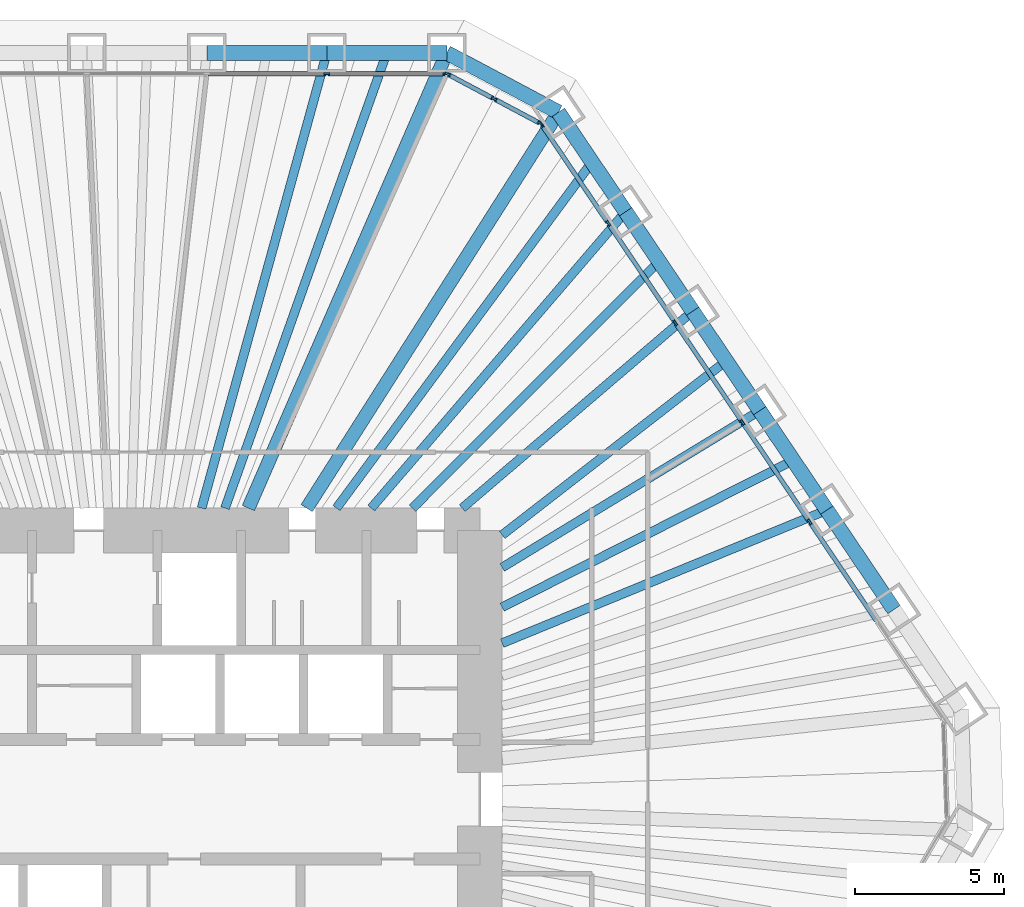
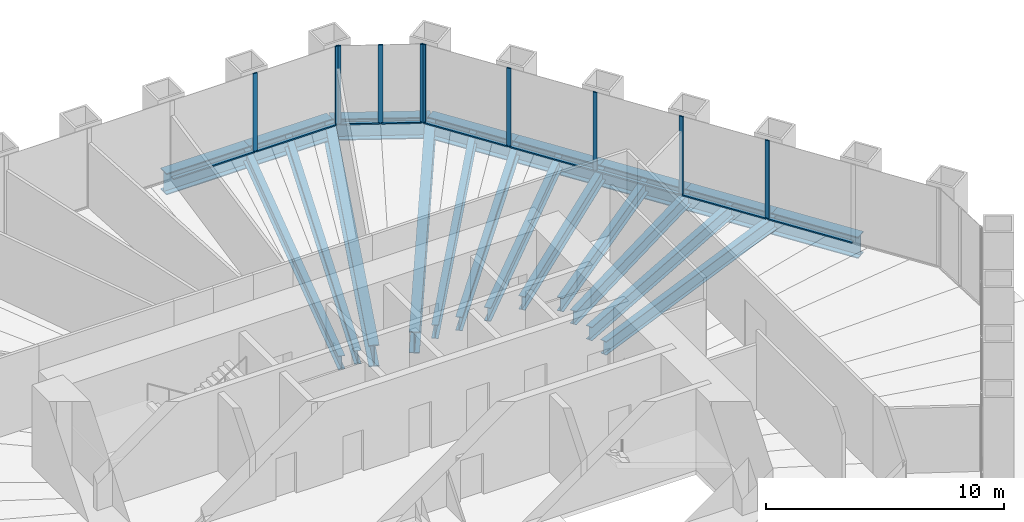
# One storey, part 7 of 13: 20 beams, 19 members, 3 elements without a shape of their own.
"""IFC4 building model written with IfcOpenShell, lengths in metres."""

import ifcopenshell
import ifcopenshell.guid

model = None  # the IFC model being written
_history = None  # IfcOwnerHistory: only IFC2X3 demands one
_inside = {}  # id of a spatial element -> (the spatial element, [elements in it])
_under = {}  # id of a project, library or spatial element -> (it, [spatial elements below it])
_declared = {}  # id of a project -> (the project, [libraries it declares])
_typed = {}  # id of a type object -> (the type object, [elements of that type])
_made_of = {}  # id of a material, layer set ... -> (it, [elements and type objects made of it])


def new_model(schema):
    """Start an empty IFC model of exactly this schema.

    Asked for "IFC4X3", IfcOpenShell would pick the latest addendum, in which some entities
    have other attributes; the version numbers below select the first issue.
    IFC2X3 requires an IfcOwnerHistory on every rooted entity: one is made here for all.
    """
    global model, _history
    if schema == "IFC4X3":
        model = ifcopenshell.file(schema_version=(4, 3, 0, 0))
    else:
        model = ifcopenshell.file(schema=schema)
    _inside.clear()
    _under.clear()
    _declared.clear()
    _typed.clear()
    _made_of.clear()
    _history = None
    if model.schema == "IFC2X3":
        org = make("IfcOrganization", Name="unknown")
        user = make(
            "IfcPersonAndOrganization",
            ThePerson=make("IfcPerson", FamilyName="unknown"),
            TheOrganization=org,
        )
        app = make(
            "IfcApplication",
            ApplicationDeveloper=org,
            Version="unknown",
            ApplicationFullName="unknown",
            ApplicationIdentifier="unknown",
        )
        _history = make(
            "IfcOwnerHistory",
            OwningUser=user,
            OwningApplication=app,
            ChangeAction="ADDED",
            CreationDate=0,
        )
    return model


def make(cls, **values):
    """One entity of the class cls with the attributes given. An attribute that is None is left unset."""
    return model.create_entity(
        cls, **{name: value for name, value in values.items() if value is not None}
    )


def rooted(cls, **values):
    """An entity with a GlobalId (a new one), such as an element, a storey or a relation."""
    return make(cls, GlobalId=ifcopenshell.guid.new(), OwnerHistory=_history, **values)


def si_unit(unit_type, name, prefix=None):
    """IfcSIUnit, for example si_unit("LENGTHUNIT", "METRE", prefix="MILLI")."""
    return make("IfcSIUnit", UnitType=unit_type, Prefix=prefix, Name=name)


def assignment(units):
    """IfcUnitAssignment: the units of a project."""
    return None if units is None else make("IfcUnitAssignment", Units=units)


def point(xyz):
    """IfcCartesianPoint."""
    return None if xyz is None else make("IfcCartesianPoint", Coordinates=xyz)


def direction(xyz):
    """IfcDirection."""
    return None if xyz is None else make("IfcDirection", DirectionRatios=xyz)


def frame(location, z_axis=None, x_axis=None):
    """IfcAxis2Placement3D, a coordinate frame: its origin and axes. An axis left out is left unset."""
    return make(
        "IfcAxis2Placement3D",
        Location=point(location),
        Axis=direction(z_axis),
        RefDirection=direction(x_axis),
    )


def frame_2d(location, x_axis=None):
    """IfcAxis2Placement2D, a coordinate frame in the plane: its origin and x axis."""
    return make(
        "IfcAxis2Placement2D", Location=point(location), RefDirection=direction(x_axis)
    )


def origin():
    """The frame at (0, 0, 0) with its axes left unset."""
    return frame((0.0, 0.0, 0.0))


def origin_2d():
    """The frame at (0, 0) in the plane with its x axis left unset."""
    return frame_2d((0.0, 0.0))


def place(relative_to, where):
    """IfcLocalPlacement: puts the frame where relative to a parent placement (None: the world)."""
    return make(
        "IfcLocalPlacement", PlacementRelTo=relative_to, RelativePlacement=where
    )


def context(
    kind, dimensions, precision=None, world=None, true_north=None, identifier=None
):
    """IfcGeometricRepresentationContext, for example the 3D "Model" context."""
    return make(
        "IfcGeometricRepresentationContext",
        ContextIdentifier=identifier,
        ContextType=kind,
        CoordinateSpaceDimension=dimensions,
        Precision=precision,
        WorldCoordinateSystem=world,
        TrueNorth=true_north,
    )


def subcontext(parent, identifier, kind, view, scale=None):
    """IfcGeometricRepresentationSubContext, for example "Body" below "Model"."""
    return make(
        "IfcGeometricRepresentationSubContext",
        ContextIdentifier=identifier,
        ContextType=kind,
        ParentContext=parent,
        TargetScale=scale,
        TargetView=view,
    )


def project(units=None, contexts=None):
    """IfcProject with its units and contexts."""
    return rooted(
        "IfcProject",
        Name="project",
        RepresentationContexts=contexts,
        UnitsInContext=assignment(units),
    )


def spatial(cls, under=None, at=None, **own):
    """A site, building, storey or space (cls), placed at a placement, below another one or the project."""
    s = rooted(cls, ObjectPlacement=at, **own)
    if under is not None:
        _under.setdefault(under.id(), (under, []))[1].append(s)
    return s


def profile(cls, at=None, kind="AREA", **sizes):
    """A parametric profile (cls). Its sizes go by their IFC names, for example OverallWidth=200.0."""
    return make(cls, ProfileType=kind, Position=at, **sizes)


def rectangle(**sizes):
    """IfcRectangleProfileDef."""
    return profile("IfcRectangleProfileDef", **sizes)


def i_section(**sizes):
    """IfcIShapeProfileDef."""
    return profile("IfcIShapeProfileDef", **sizes)


def extrude(swept, where, along, depth):
    """IfcExtrudedAreaSolid: the profile swept, set in the frame where, extruded along a direction by depth."""
    return make(
        "IfcExtrudedAreaSolid",
        SweptArea=swept,
        Position=where,
        ExtrudedDirection=direction(along),
        Depth=depth,
    )


def shape(context_of_items, identifier, shape_type, items):
    """IfcShapeRepresentation: the items that make up one representation, for example the "Body"."""
    return make(
        "IfcShapeRepresentation",
        ContextOfItems=context_of_items,
        RepresentationIdentifier=identifier,
        RepresentationType=shape_type,
        Items=items,
    )


def material(Name=None, Category=None):
    """IfcMaterial."""
    return make("IfcMaterial", Name=Name, Category=Category)


def material_profile(
    of_material, cross_section, Name=None, Category=None, Priority=None
):
    """IfcMaterialProfile: a cross section and its material."""
    return make(
        "IfcMaterialProfile",
        Name=Name,
        Material=of_material,
        Profile=cross_section,
        Priority=Priority,
        Category=Category,
    )


def profile_set(profiles, Name=None, composite=None):
    """IfcMaterialProfileSet."""
    return make(
        "IfcMaterialProfileSet",
        Name=Name,
        MaterialProfiles=profiles,
        CompositeProfile=composite,
    )


def made_of(thing, what):
    """Note that an element or type object is made of a material, layer set ...; save() writes the relation."""
    if what is not None:
        _made_of.setdefault(what.id(), (what, []))[1].append(thing)
    return thing


def type_object(cls, material=None, **own):
    """A type object (cls), such as IfcWallType, which elements share."""
    return made_of(rooted(cls, **own), material)


def element(
    cls,
    number,
    at=None,
    inside=None,
    cuts=None,
    type_object=None,
    material=None,
    context=None,
    identifier="Body",
    shape_type=None,
    held_by="IfcProductDefinitionShape",
    body=None,
    shapes=None,
    **own,
):
    """One element of the class cls, such as IfcWall. Its Tag is "e" and its number.

    at: its placement. inside: the storey or other place that contains it. cuts: it is an
    opening in that element (IfcRelVoidsElement). A single representation is given by context,
    identifier, shape_type and body (its items); several are given by shapes. held_by: the class
    of the entity that holds the representations. save() writes the other relations.
    """
    e = rooted(cls, Tag="e%d" % number, ObjectPlacement=at, **own)
    if body is not None:
        shapes = [shape(context, identifier, shape_type, body)]
    if shapes is not None:
        e.Representation = make(held_by, Representations=shapes)
    if inside is not None:
        _inside.setdefault(inside.id(), (inside, []))[1].append(e)
    if cuts is not None:
        rooted(
            "IfcRelVoidsElement", RelatingBuildingElement=cuts, RelatedOpeningElement=e
        )
    if type_object is not None:
        _typed.setdefault(type_object.id(), (type_object, []))[1].append(e)
    return made_of(e, material)


def aggregate(whole, parts):
    """IfcRelAggregates: a whole, such as a stair, and the parts it consists of."""
    return rooted("IfcRelAggregates", RelatingObject=whole, RelatedObjects=parts)


def save(model, path):
    """Write the relations noted so far, then the file.

    IfcRelAggregates (storeys below a building ...), IfcRelContainedInSpatialStructure (elements
    in a storey), IfcRelDefinesByType, IfcRelAssociatesMaterial and IfcRelDeclares: one each for
    every whole, place, type object, material and project.
    """
    for whole, parts in _under.values():
        aggregate(whole, parts)
    for where, things in _inside.values():
        rooted(
            "IfcRelContainedInSpatialStructure",
            RelatedElements=things,
            RelatingStructure=where,
        )
    for kind, things in _typed.values():
        rooted("IfcRelDefinesByType", RelatedObjects=things, RelatingType=kind)
    for what, things in _made_of.values():
        rooted("IfcRelAssociatesMaterial", RelatedObjects=things, RelatingMaterial=what)
    for by, libraries in _declared.values():
        rooted("IfcRelDeclares", RelatingContext=by, RelatedDefinitions=libraries)
    model.write(path)


model = new_model("IFC4")

# Units and contexts
model_context = context("Model", 3, precision=1e-05, world=origin(), true_north=direction((0.0, 1.0)))
body_context = subcontext(model_context, "Body", "Model", "MODEL_VIEW")
ifc_project = project(units=[si_unit("LENGTHUNIT", "METRE"), si_unit("AREAUNIT", "SQUARE_METRE"), si_unit("VOLUMEUNIT", "CUBIC_METRE"), si_unit("PLANEANGLEUNIT", "RADIAN"), si_unit("MASSUNIT", "GRAM", prefix="KILO")], contexts=[model_context])

# Site, building, storey
site_placement = place(None, origin())
site = spatial("IfcSite", under=ifc_project, at=site_placement, CompositionType="ELEMENT")
building_placement = place(site_placement, origin())
building = spatial("IfcBuilding", under=site, at=building_placement, Name="Qingtian Harvest Tower", CompositionType="ELEMENT")
storey_placement = place(building_placement, frame((0.0, 0.0, 140.800048828125)))
storey = spatial("IfcBuildingStorey", under=building, at=storey_placement, Name="L29", CompositionType="ELEMENT", Elevation=140.800048828125)

# Beams
ifc_material_1 = material(Name="Steel SM570MC", Category="steel")
ifc_material_profile_1 = material_profile(ifc_material_1, i_section(OverallWidth=0.449951171875, OverallDepth=1.10009765625, WebThickness=0.02197265625, FlangeThickness=0.044921875, at=origin_2d()), Name="H1100x450x22x45")
ifc_profile_set_1 = profile_set([ifc_material_profile_1], Name="Steel SM570MC")
beam_type_1 = type_object("IfcBeamType", Name="Corner floor beam FB8 H1100x450x22x45", PredefinedType="BEAM", material=ifc_profile_set_1)
beam_1_placement = place(storey_placement, frame((10.892822265625, 25.0, -0.719970703125), z_axis=(-0.399451016538, -0.916754539333, 0.0), x_axis=(0.916754539333, -0.399451016538, 0.0)))
element("IfcBeam", 1, at=beam_1_placement, inside=storey, type_object=beam_type_1, Name="Floor beam FB8 N6", PredefinedType="BEAM", context=body_context, shape_type="SweptSolid", body=[
    extrude(i_section(OverallWidth=0.449951171875, OverallDepth=1.10009765625, WebThickness=0.02197265625, FlangeThickness=0.044921875, at=origin_2d()), origin(), (0.0, 0.0, 1.0), 16.634765625),
])
beam_2_placement = place(storey_placement, frame((14.634765625, 23.01025390625, -0.719970703125), z_axis=(-0.536660352939, -0.843798355997, 0.0), x_axis=(0.843798355997, -0.536660352939, 0.0)))
element("IfcBeam", 2, at=beam_2_placement, inside=storey, type_object=beam_type_1, Name="Floor beam FB8 NE0", PredefinedType="BEAM", context=body_context, shape_type="SweptSolid", body=[
    extrude(i_section(OverallWidth=0.449951171875, OverallDepth=1.10009765625, WebThickness=0.02197265625, FlangeThickness=0.044921875, at=origin_2d()), origin(), (0.0, 0.0, 1.0), 15.71484375),
])
ifc_material_2 = material(Name="Steel SN490B", Category="steel")
ifc_material_profile_2 = material_profile(ifc_material_2, i_section(OverallWidth=0.300048828125, OverallDepth=0.699951171875, WebThickness=0.012939453125, FlangeThickness=0.02392578125, at=origin_2d()), Name="H700x300x13x24")
ifc_profile_set_2 = profile_set([ifc_material_profile_2], Name="Steel SN490B")
beam_type_2 = type_object("IfcBeamType", Name="Floor beam FB2 H700x300x13x24", PredefinedType="BEAM", material=ifc_profile_set_2)
beam_3_placement = place(storey_placement, frame((6.873779296875, 25.0, -0.52001953125), z_axis=(-0.265119170108, -0.964215653078, 0.0), x_axis=(0.964215653078, -0.265119170108, 0.0)))
element("IfcBeam", 3, at=beam_3_placement, inside=storey, type_object=beam_type_2, Name="Floor beam FB2 N5", PredefinedType="BEAM", context=body_context, shape_type="SweptSolid", body=[
    extrude(i_section(OverallWidth=0.300048828125, OverallDepth=0.699951171875, WebThickness=0.012939453125, FlangeThickness=0.02392578125, at=origin_2d()), origin(), (0.0, 0.0, 1.0), 15.81591796875),
])
beam_4_placement = place(storey_placement, frame((16.88232421875, 19.67822265625, -0.52001953125), z_axis=(-0.651140196702, -0.758957471957, 0.0), x_axis=(0.758957471957, -0.651140196702, 0.0)))
element("IfcBeam", 4, at=beam_4_placement, inside=storey, type_object=beam_type_2, Name="Floor beam FB2 NE1", PredefinedType="BEAM", context=body_context, shape_type="SweptSolid", body=[
    extrude(i_section(OverallWidth=0.300048828125, OverallDepth=0.699951171875, WebThickness=0.012939453125, FlangeThickness=0.02392578125, at=origin_2d()), origin(), (0.0, 0.0, 1.0), 13.081298828125),
])
beam_5_placement = place(storey_placement, frame((19.129638671875, 16.346435546875, -0.52001953125), z_axis=(-0.760241810635, -0.649640199928, 0.0), x_axis=(0.649640199928, -0.760241810635, 0.0)))
element("IfcBeam", 5, at=beam_5_placement, inside=storey, type_object=beam_type_2, Name="Floor beam FB2 NE2", PredefinedType="BEAM", context=body_context, shape_type="SweptSolid", body=[
    extrude(i_section(OverallWidth=0.300048828125, OverallDepth=0.699951171875, WebThickness=0.012939453125, FlangeThickness=0.02392578125, at=origin_2d()), origin(), (0.0, 0.0, 1.0), 10.154052734375),
])
beam_6_placement = place(storey_placement, frame((21.377197265625, 13.014404296875, -0.52001953125), z_axis=(-0.854160745245, -0.520009058846, 0.0), x_axis=(0.520009058846, -0.854160745245, 0.0)))
element("IfcBeam", 6, at=beam_6_placement, inside=storey, type_object=beam_type_2, Name="Floor beam FB2 NE3", PredefinedType="BEAM", context=body_context, shape_type="SweptSolid", body=[
    extrude(i_section(OverallWidth=0.300048828125, OverallDepth=0.699951171875, WebThickness=0.012939453125, FlangeThickness=0.02392578125, at=origin_2d()), origin(), (0.0, 0.0, 1.0), 10.10009765625),
])
beam_7_placement = place(storey_placement, frame((23.62451171875, 9.682373046875, -0.52001953125), z_axis=(-0.925304541163, -0.379224875375, 0.0), x_axis=(0.379224875375, -0.925304541163, 0.0)))
element("IfcBeam", 7, at=beam_7_placement, inside=storey, type_object=beam_type_2, Name="Floor beam FB2 NE4", PredefinedType="BEAM", context=body_context, shape_type="SweptSolid", body=[
    extrude(i_section(OverallWidth=0.300048828125, OverallDepth=0.699951171875, WebThickness=0.012939453125, FlangeThickness=0.02392578125, at=origin_2d()), origin(), (0.0, 0.0, 1.0), 11.75244140625),
])
ifc_material_3 = material(Name="Steel SN490B", Category="steel")
ifc_material_profile_3 = material_profile(ifc_material_3, i_section(OverallWidth=0.300048828125, OverallDepth=0.699951171875, WebThickness=0.012939453125, FlangeThickness=0.02392578125, at=origin_2d()), Name="H700x300x13x24")
ifc_profile_set_3 = profile_set([ifc_material_profile_3], Name="Steel SN490B")
beam_type_3 = type_object("IfcBeamType", Name="Floor joist J2 H700x300x13x24", PredefinedType="JOIST", material=ifc_profile_set_3)
beam_8_placement = place(storey_placement, frame((8.88330078125, 25.0, -0.52001953125), z_axis=(-0.334829909573, -0.94227858495, 0.0), x_axis=(0.94227858495, -0.334829909573, 0.0)))
element("IfcBeam", 8, at=beam_8_placement, inside=storey, type_object=beam_type_3, Name="Floor joist J2 N5", PredefinedType="JOIST", context=body_context, shape_type="SweptSolid", body=[
    extrude(i_section(OverallWidth=0.300048828125, OverallDepth=0.699951171875, WebThickness=0.012939453125, FlangeThickness=0.02392578125, at=origin_2d()), origin(), (0.0, 0.0, 1.0), 16.18408203125),
])
beam_9_placement = place(storey_placement, frame((15.758544921875, 21.34423828125, -0.52001953125), z_axis=(-0.593960386058, -0.804494288229, 0.0), x_axis=(0.804494288229, -0.593960386058, 0.0)))
element("IfcBeam", 9, at=beam_9_placement, inside=storey, type_object=beam_type_3, Name="Floor joist J2 NE0", PredefinedType="JOIST", context=body_context, shape_type="SweptSolid", body=[
    extrude(i_section(OverallWidth=0.300048828125, OverallDepth=0.699951171875, WebThickness=0.012939453125, FlangeThickness=0.02392578125, at=origin_2d()), origin(), (0.0, 0.0, 1.0), 14.411865234375),
])
beam_10_placement = place(storey_placement, frame((18.005859375, 18.012451171875, -0.52001953125), z_axis=(-0.706970932755, -0.707242603524, 0.0), x_axis=(0.707242603524, -0.706970932755, 0.0)))
element("IfcBeam", 10, at=beam_10_placement, inside=storey, type_object=beam_type_3, Name="Floor joist J2 NE1", PredefinedType="JOIST", context=body_context, shape_type="SweptSolid", body=[
    extrude(i_section(OverallWidth=0.300048828125, OverallDepth=0.699951171875, WebThickness=0.012939453125, FlangeThickness=0.02392578125, at=origin_2d()), origin(), (0.0, 0.0, 1.0), 11.6826171875),
])
beam_11_placement = place(storey_placement, frame((20.25341796875, 14.680419921875, -0.52001953125), z_axis=(-0.789641272199, -0.61356879096, 0.0), x_axis=(0.61356879096, -0.789641272199, 0.0)))
element("IfcBeam", 11, at=beam_11_placement, inside=storey, type_object=beam_type_3, Name="Floor joist J2 NE2", PredefinedType="JOIST", context=body_context, shape_type="SweptSolid", body=[
    extrude(i_section(OverallWidth=0.300048828125, OverallDepth=0.699951171875, WebThickness=0.012939453125, FlangeThickness=0.02392578125, at=origin_2d()), origin(), (0.0, 0.0, 1.0), 9.502197265625),
])
beam_12_placement = place(storey_placement, frame((22.500732421875, 11.348388671875, -0.52001953125), z_axis=(-0.892861323685, -0.450331718478, 0.0), x_axis=(0.450331718478, -0.892861323685, 0.0)))
element("IfcBeam", 12, at=beam_12_placement, inside=storey, type_object=beam_type_3, Name="Floor joist J2 NE3", PredefinedType="JOIST", context=body_context, shape_type="SweptSolid", body=[
    extrude(i_section(OverallWidth=0.300048828125, OverallDepth=0.699951171875, WebThickness=0.012939453125, FlangeThickness=0.02392578125, at=origin_2d()), origin(), (0.0, 0.0, 1.0), 10.920654296875),
])

# Curtain wall, members
ifc_material_4 = material(Name="Bronze-anodised aluminium curtain wall", Category="aluminium")
curtain_wall_type = type_object("IfcCurtainWallType", Name="Curtain wall CW4 office", PredefinedType="USERDEFINED", material=ifc_material_4)
curtain_wall_1_placement = place(storey_placement, origin())
curtain_wall_1 = element("IfcCurtainWall", 13, at=curtain_wall_1_placement, inside=storey, type_object=curtain_wall_type, Name="Curtain wall CW4 L29 N0-5", ObjectType="RECESSED CURTAIN WALL", PredefinedType="USERDEFINED")
ifc_material_5 = material(Name="Bronze-anodised aluminium mullion", Category="aluminium")
ifc_material_profile_4 = material_profile(ifc_material_5, rectangle(XDim=0.06494140625, YDim=0.199951171875, at=origin_2d()), Name="AL 65x200")
ifc_profile_set_4 = profile_set([ifc_material_profile_4], Name="Bronze-anodised aluminium mullion")
member_type_1 = type_object("IfcMemberType", Name="Mullion CWM 65x200", PredefinedType="MULLION", material=ifc_profile_set_4)
member_1_placement = place(storey_placement, frame((6.873779296875, 24.300048828125, 0.0), z_axis=(0.0, 0.0, 1.0), x_axis=(0.0, 1.0, 0.0)))
member_1 = element("IfcMember", 14, at=member_1_placement, type_object=member_type_1, Name="CW4 mullion 6", PredefinedType="MULLION", context=body_context, shape_type="SweptSolid", body=[
    extrude(rectangle(XDim=0.06494140625, YDim=0.199951171875, at=origin_2d()), origin(), (0.0, 0.0, 1.0), 4.030029296875),
])
member_2_placement = place(storey_placement, frame((10.8603515625, 24.300048828125, 0.0), z_axis=(0.0, 0.0, 1.0), x_axis=(0.0, 1.0, 0.0)))
member_2 = element("IfcMember", 15, at=member_2_placement, type_object=member_type_1, Name="CW4 mullion 7", PredefinedType="MULLION", context=body_context, shape_type="SweptSolid", body=[
    extrude(rectangle(XDim=0.06494140625, YDim=0.199951171875, at=origin_2d()), origin(), (0.0, 0.0, 1.0), 4.030029296875),
])

curtain_wall_2_placement = place(storey_placement, origin())
curtain_wall_2 = element("IfcCurtainWall", 16, at=curtain_wall_2_placement, inside=storey, type_object=curtain_wall_type, Name="Curtain wall CW4 L29 NC", ObjectType="RECESSED CURTAIN WALL", PredefinedType="USERDEFINED")
member_3_placement = place(storey_placement, frame((10.92138671875, 24.28466796875, 0.0), z_axis=(0.0, 0.0, 1.0), x_axis=(0.469471562786, 0.882947592859, 0.0)))
member_3 = element("IfcMember", 17, at=member_3_placement, type_object=member_type_1, Name="CW4 mullion 1", PredefinedType="MULLION", context=body_context, shape_type="SweptSolid", body=[
    extrude(rectangle(XDim=0.06494140625, YDim=0.199951171875, at=origin_2d()), origin(), (0.0, 0.0, 1.0), 4.030029296875),
])
member_4_placement = place(storey_placement, frame((12.4736328125, 23.45947265625, 0.0), z_axis=(0.0, 0.0, 1.0), x_axis=(0.469471562786, 0.882947592859, 0.0)))
member_4 = element("IfcMember", 18, at=member_4_placement, type_object=member_type_1, Name="CW4 mullion 2", PredefinedType="MULLION", context=body_context, shape_type="SweptSolid", body=[
    extrude(rectangle(XDim=0.06494140625, YDim=0.199951171875, at=origin_2d()), origin(), (0.0, 0.0, 1.0), 4.030029296875),
])
member_5_placement = place(storey_placement, frame((14.02587890625, 22.634033203125, 0.0), z_axis=(0.0, 0.0, 1.0), x_axis=(0.469471562786, 0.882947592859, 0.0)))
member_5 = element("IfcMember", 19, at=member_5_placement, type_object=member_type_1, Name="CW4 mullion 3", PredefinedType="MULLION", context=body_context, shape_type="SweptSolid", body=[
    extrude(rectangle(XDim=0.06494140625, YDim=0.199951171875, at=origin_2d()), origin(), (0.0, 0.0, 1.0), 4.030029296875),
])

curtain_wall_3_placement = place(storey_placement, origin())
curtain_wall_3 = element("IfcCurtainWall", 20, at=curtain_wall_3_placement, inside=storey, type_object=curtain_wall_type, Name="Curtain wall CW4 L29 NE0-5", ObjectType="RECESSED CURTAIN WALL", PredefinedType="USERDEFINED")
member_6_placement = place(storey_placement, frame((14.07275390625, 22.592041015625, 0.0), z_axis=(0.0, 0.0, 1.0), x_axis=(0.829037572555, 0.559192903471, 0.0)))
member_6 = element("IfcMember", 21, at=member_6_placement, type_object=member_type_1, Name="CW4 mullion 1", PredefinedType="MULLION", context=body_context, shape_type="SweptSolid", body=[
    extrude(rectangle(XDim=0.06494140625, YDim=0.199951171875, at=origin_2d()), origin(), (0.0, 0.0, 1.0), 4.030029296875),
])
member_7_placement = place(storey_placement, frame((16.302001953125, 19.286865234375, 0.0), z_axis=(0.0, 0.0, 1.0), x_axis=(0.829037572555, 0.559192903471, 0.0)))
member_7 = element("IfcMember", 22, at=member_7_placement, type_object=member_type_1, Name="CW4 mullion 2", PredefinedType="MULLION", context=body_context, shape_type="SweptSolid", body=[
    extrude(rectangle(XDim=0.06494140625, YDim=0.199951171875, at=origin_2d()), origin(), (0.0, 0.0, 1.0), 4.030029296875),
])
member_8_placement = place(storey_placement, frame((18.54931640625, 15.954833984375, 0.0), z_axis=(0.0, 0.0, 1.0), x_axis=(0.829037572555, 0.559192903471, 0.0)))
member_8 = element("IfcMember", 23, at=member_8_placement, type_object=member_type_1, Name="CW4 mullion 3", PredefinedType="MULLION", context=body_context, shape_type="SweptSolid", body=[
    extrude(rectangle(XDim=0.06494140625, YDim=0.199951171875, at=origin_2d()), origin(), (0.0, 0.0, 1.0), 4.030029296875),
])
member_9_placement = place(storey_placement, frame((20.796875, 12.623046875, 0.0), z_axis=(0.0, 0.0, 1.0), x_axis=(0.829037572555, 0.559192903471, 0.0)))
member_9 = element("IfcMember", 24, at=member_9_placement, type_object=member_type_1, Name="CW4 mullion 4", PredefinedType="MULLION", context=body_context, shape_type="SweptSolid", body=[
    extrude(rectangle(XDim=0.06494140625, YDim=0.199951171875, at=origin_2d()), origin(), (0.0, 0.0, 1.0), 4.030029296875),
])
member_10_placement = place(storey_placement, frame((23.044189453125, 9.291015625, 0.0), z_axis=(0.0, 0.0, 1.0), x_axis=(0.829037572555, 0.559192903471, 0.0)))
member_10 = element("IfcMember", 25, at=member_10_placement, type_object=member_type_1, Name="CW4 mullion 5", PredefinedType="MULLION", context=body_context, shape_type="SweptSolid", body=[
    extrude(rectangle(XDim=0.06494140625, YDim=0.199951171875, at=origin_2d()), origin(), (0.0, 0.0, 1.0), 4.030029296875),
])

# Beams
ifc_material_6 = material(Name="Steel SM570MC", Category="steel")
ifc_material_profile_5 = material_profile(ifc_material_6, i_section(OverallWidth=0.5, OverallDepth=1.10009765625, WebThickness=0.02490234375, FlangeThickness=0.050048828125, at=origin_2d()), Name="H1100x500x25x50")
ifc_profile_set_5 = profile_set([ifc_material_profile_5], Name="Steel SM570MC")
beam_type_4 = type_object("IfcBeamType", Name="Spandrel beam SB2 H1100x500x25x50", PredefinedType="SPANDREL", material=ifc_profile_set_5)
beam_13_placement = place(storey_placement, frame((2.8544921875, 25.0, -0.550048828125), z_axis=(1.0, 0.0, 0.0), x_axis=(0.0, 1.0, 0.0)))
element("IfcBeam", 26, at=beam_13_placement, inside=storey, type_object=beam_type_4, Name="Spandrel SB2 N4", PredefinedType="SPANDREL", context=body_context, shape_type="SweptSolid", body=[
    extrude(i_section(OverallWidth=0.5, OverallDepth=1.10009765625, WebThickness=0.02490234375, FlangeThickness=0.050048828125, at=origin_2d()), origin(), (0.0, 0.0, 1.0), 4.019287109375),
])
beam_14_placement = place(storey_placement, frame((6.873779296875, 25.0, -0.550048828125), z_axis=(1.0, 0.0, 0.0), x_axis=(0.0, 1.0, 0.0)))
element("IfcBeam", 27, at=beam_14_placement, inside=storey, type_object=beam_type_4, Name="Spandrel SB2 N5", PredefinedType="SPANDREL", context=body_context, shape_type="SweptSolid", body=[
    extrude(i_section(OverallWidth=0.5, OverallDepth=1.10009765625, WebThickness=0.02490234375, FlangeThickness=0.050048828125, at=origin_2d()), origin(), (0.0, 0.0, 1.0), 4.01904296875),
])
beam_15_placement = place(storey_placement, frame((10.892822265625, 25.0, -0.550048828125), z_axis=(0.882935902835, -0.469493547863, 0.0), x_axis=(0.469493547863, 0.882935902835, 0.0)))
element("IfcBeam", 28, at=beam_15_placement, inside=storey, type_object=beam_type_4, Name="Spandrel SB2 NC", PredefinedType="SPANDREL", context=body_context, shape_type="SweptSolid", body=[
    extrude(i_section(OverallWidth=0.5, OverallDepth=1.10009765625, WebThickness=0.02490234375, FlangeThickness=0.050048828125, at=origin_2d()), origin(), (0.0, 0.0, 1.0), 4.238037109375),
])
beam_16_placement = place(storey_placement, frame((14.634765625, 23.01025390625, -0.550048828125), z_axis=(0.559205752254, -0.829028905796, 0.0), x_axis=(0.829028905796, 0.559205752254, 0.0)))
element("IfcBeam", 29, at=beam_16_placement, inside=storey, type_object=beam_type_4, Name="Spandrel SB2 NE0", PredefinedType="SPANDREL", context=body_context, shape_type="SweptSolid", body=[
    extrude(i_section(OverallWidth=0.5, OverallDepth=1.10009765625, WebThickness=0.02490234375, FlangeThickness=0.050048828125, at=origin_2d()), origin(), (0.0, 0.0, 1.0), 4.019287109375),
])
beam_17_placement = place(storey_placement, frame((16.88232421875, 19.67822265625, -0.550048828125), z_axis=(0.55919216322, -0.82903807186, 0.0), x_axis=(0.82903807186, 0.55919216322, 0.0)))
element("IfcBeam", 30, at=beam_17_placement, inside=storey, type_object=beam_type_4, Name="Spandrel SB2 NE1", PredefinedType="SPANDREL", context=body_context, shape_type="SweptSolid", body=[
    extrude(i_section(OverallWidth=0.5, OverallDepth=1.10009765625, WebThickness=0.02490234375, FlangeThickness=0.050048828125, at=origin_2d()), origin(), (0.0, 0.0, 1.0), 4.018798828125),
])
beam_18_placement = place(storey_placement, frame((19.129638671875, 16.346435546875, -0.550048828125), z_axis=(0.559205752254, -0.829028905796, 0.0), x_axis=(0.829028905796, 0.559205752254, 0.0)))
element("IfcBeam", 31, at=beam_18_placement, inside=storey, type_object=beam_type_4, Name="Spandrel SB2 NE2", PredefinedType="SPANDREL", context=body_context, shape_type="SweptSolid", body=[
    extrude(i_section(OverallWidth=0.5, OverallDepth=1.10009765625, WebThickness=0.02490234375, FlangeThickness=0.050048828125, at=origin_2d()), origin(), (0.0, 0.0, 1.0), 4.019287109375),
])
for number, where, z_axis, x_axis, name in (
    (32, (21.377197265625, 13.014404296875, -0.550048828125), (0.55916400171, -0.829057066306, 0.0), (0.829057066306, 0.55916400171, 0.0), "Spandrel SB2 NE3"),
    (33, (23.62451171875, 9.682373046875, -0.550048828125), (0.559233913953, -0.829009909159, 0.0), (0.829009909159, 0.559233913953, 0.0), "Spandrel SB2 NE4"),
):
    element("IfcBeam", number, at=place(storey_placement, frame(where, z_axis=z_axis, x_axis=x_axis)), inside=storey, type_object=beam_type_4, Name=name, PredefinedType="SPANDREL", context=body_context, shape_type="SweptSolid", body=[
        extrude(i_section(OverallWidth=0.5, OverallDepth=1.10009765625, WebThickness=0.02490234375, FlangeThickness=0.050048828125, at=origin_2d()), origin(), (0.0, 0.0, 1.0), 4.01904296875),
    ])

# Member
ifc_material_7 = material(Name="Bronze-anodised aluminium transom", Category="aluminium")
ifc_material_profile_6 = material_profile(ifc_material_7, rectangle(XDim=0.14990234375, YDim=0.06494140625, at=origin_2d()), Name="AL 65x150")
ifc_profile_set_6 = profile_set([ifc_material_profile_6], Name="Bronze-anodised aluminium transom")
member_type_2 = type_object("IfcMemberType", Name="Transom CWT 65x150", PredefinedType="USERDEFINED", material=ifc_profile_set_6)
member_11_placement = place(storey_placement, frame((2.886962890625, 24.300048828125, 0.032470703125), z_axis=(1.0, 0.0, 0.0), x_axis=(0.0, 1.0, 0.0)))
member_11 = element("IfcMember", 34, at=member_11_placement, type_object=member_type_2, Name="CW4 transom 5.1", ObjectType="TRANSOM", PredefinedType="USERDEFINED", context=body_context, shape_type="SweptSolid", body=[
    extrude(rectangle(XDim=0.14990234375, YDim=0.06494140625, at=origin_2d()), origin(), (0.0, 0.0, 1.0), 3.9541015625),
])

member_12_placement = place(storey_placement, frame((6.90625, 24.300048828125, 0.032470703125), z_axis=(1.0, 0.0, 0.0), x_axis=(0.0, 1.0, 0.0)))
member_12 = element("IfcMember", 35, at=member_12_placement, type_object=member_type_2, Name="CW4 transom 6.1", ObjectType="TRANSOM", PredefinedType="USERDEFINED", context=body_context, shape_type="SweptSolid", body=[
    extrude(rectangle(XDim=0.14990234375, YDim=0.06494140625, at=origin_2d()), origin(), (0.0, 0.0, 1.0), 3.92138671875),
])

aggregate(curtain_wall_1, [member_1, member_2, member_11, member_12])

member_13_placement = place(storey_placement, frame((10.9501953125, 24.26953125, 0.032470703125), z_axis=(0.882895287784, -0.469569921108, 0.0), x_axis=(0.469569921108, 0.882895287784, 0.0)))
member_13 = element("IfcMember", 36, at=member_13_placement, type_object=member_type_2, Name="CW4 transom 1.1", ObjectType="TRANSOM", PredefinedType="USERDEFINED", context=body_context, shape_type="SweptSolid", body=[
    extrude(rectangle(XDim=0.14990234375, YDim=0.06494140625, at=origin_2d()), origin(), (0.0, 0.0, 1.0), 1.69287109375),
])

member_14_placement = place(storey_placement, frame((12.502197265625, 23.444091796875, 0.032470703125), z_axis=(0.882986854304, -0.469397715297, 0.0), x_axis=(0.469397715297, 0.882986854304, 0.0)))
member_14 = element("IfcMember", 37, at=member_14_placement, type_object=member_type_2, Name="CW4 transom 2.1", ObjectType="TRANSOM", PredefinedType="USERDEFINED", context=body_context, shape_type="SweptSolid", body=[
    extrude(rectangle(XDim=0.14990234375, YDim=0.06494140625, at=origin_2d()), origin(), (0.0, 0.0, 1.0), 1.69287109375),
])

aggregate(curtain_wall_2, [member_3, member_4, member_5, member_13, member_14])

member_15_placement = place(storey_placement, frame((14.0908203125, 22.56494140625, 0.032470703125), z_axis=(0.55920336949, -0.82903051304, 0.0), x_axis=(0.82903051304, 0.55920336949, 0.0)))
member_15 = element("IfcMember", 38, at=member_15_placement, type_object=member_type_2, Name="CW4 transom 1.1", ObjectType="TRANSOM", PredefinedType="USERDEFINED", context=body_context, shape_type="SweptSolid", body=[
    extrude(rectangle(XDim=0.14990234375, YDim=0.06494140625, at=origin_2d()), origin(), (0.0, 0.0, 1.0), 3.92138671875),
])

member_16_placement = place(storey_placement, frame((16.320068359375, 19.260009765625, 0.032470703125), z_axis=(0.55920878069, -0.829026863014, 0.0), x_axis=(0.829026863014, 0.55920878069, 0.0)))
member_16 = element("IfcMember", 39, at=member_16_placement, type_object=member_type_2, Name="CW4 transom 2.1", ObjectType="TRANSOM", PredefinedType="USERDEFINED", context=body_context, shape_type="SweptSolid", body=[
    extrude(rectangle(XDim=0.14990234375, YDim=0.06494140625, at=origin_2d()), origin(), (0.0, 0.0, 1.0), 3.9541015625),
])

member_17_placement = place(storey_placement, frame((18.567626953125, 15.927978515625, 0.032470703125), z_axis=(0.559166343236, -0.82905548704, 0.0), x_axis=(0.82905548704, 0.559166343236, 0.0)))
member_17 = element("IfcMember", 40, at=member_17_placement, type_object=member_type_2, Name="CW4 transom 3.1", ObjectType="TRANSOM", PredefinedType="USERDEFINED", context=body_context, shape_type="SweptSolid", body=[
    extrude(rectangle(XDim=0.14990234375, YDim=0.06494140625, at=origin_2d()), origin(), (0.0, 0.0, 1.0), 3.9541015625),
])

member_18_placement = place(storey_placement, frame((20.81494140625, 12.595947265625, 0.032470703125), z_axis=(0.55920878069, -0.829026863014, 0.0), x_axis=(0.829026863014, 0.55920878069, 0.0)))
member_18 = element("IfcMember", 41, at=member_18_placement, type_object=member_type_2, Name="CW4 transom 4.1", ObjectType="TRANSOM", PredefinedType="USERDEFINED", context=body_context, shape_type="SweptSolid", body=[
    extrude(rectangle(XDim=0.14990234375, YDim=0.06494140625, at=origin_2d()), origin(), (0.0, 0.0, 1.0), 3.9541015625),
])

member_19_placement = place(storey_placement, frame((23.0625, 9.26416015625, 0.032470703125), z_axis=(0.559166343236, -0.82905548704, 0.0), x_axis=(0.82905548704, 0.559166343236, 0.0)))
member_19 = element("IfcMember", 42, at=member_19_placement, type_object=member_type_2, Name="CW4 transom 5.1", ObjectType="TRANSOM", PredefinedType="USERDEFINED", context=body_context, shape_type="SweptSolid", body=[
    extrude(rectangle(XDim=0.14990234375, YDim=0.06494140625, at=origin_2d()), origin(), (0.0, 0.0, 1.0), 3.9541015625),
])

aggregate(curtain_wall_3, [member_6, member_7, member_8, member_9, member_10, member_15, member_16, member_17, member_18, member_19])

save(model, "model.ifc")
